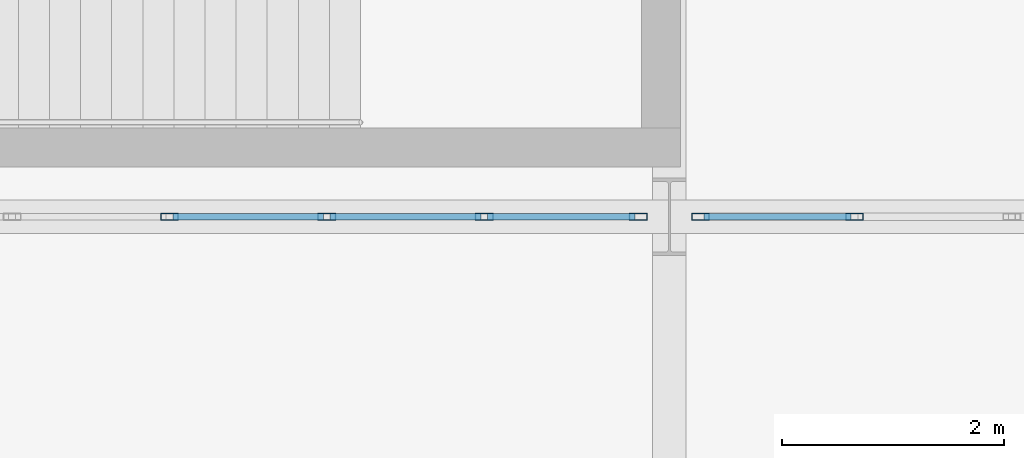
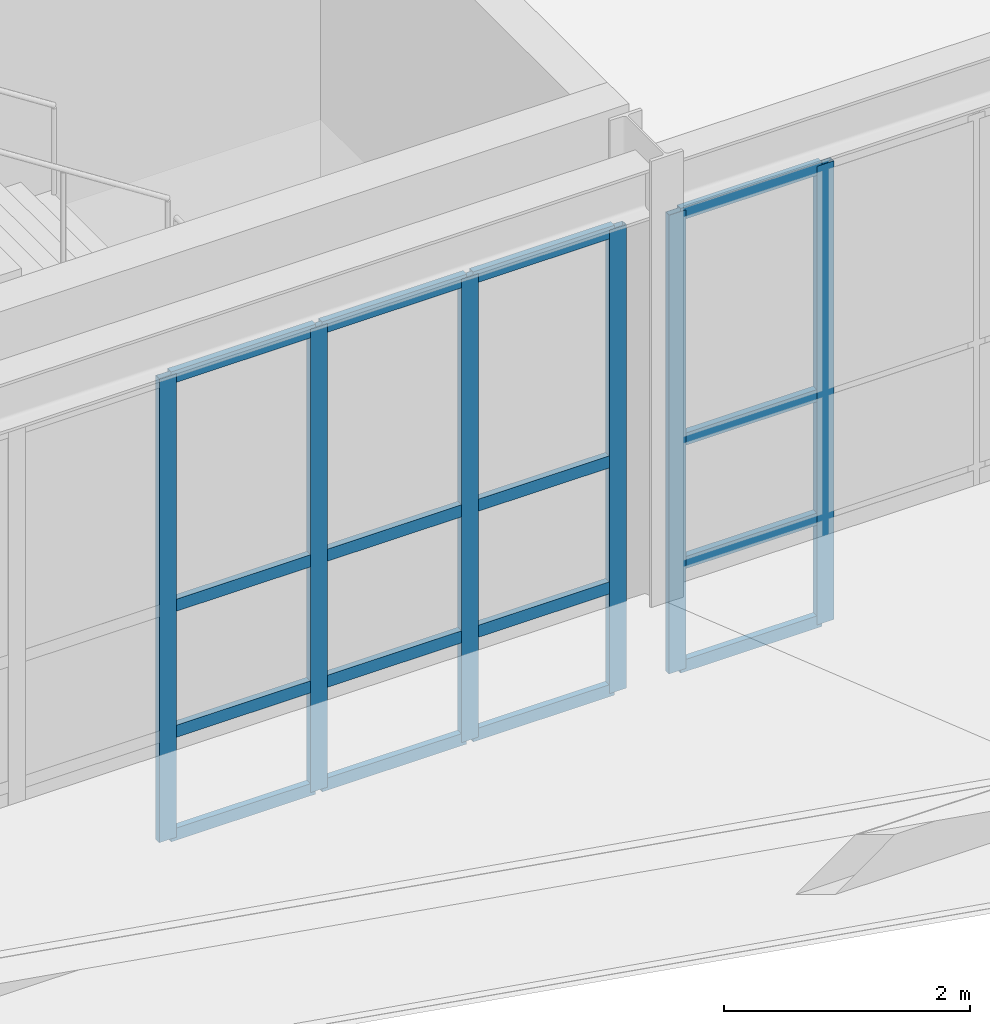
# One storey, part 60 of 239: 22 members, 2 elements without a shape of their own.
"""IFC4 building model written with IfcOpenShell, lengths in metres."""

from ifc_helpers import new_model, si_unit, direction, frame, origin, origin_2d, place, context, subcontext, project, spatial, hollow_rectangle, extrude, material, material_profile, profile_set, type_object, element, aggregate, save


model = new_model("IFC4")

# Units and contexts
model_context = context("Model", 3, precision=1e-05, world=origin(), true_north=direction((0.0, 1.0)))
body_context = subcontext(model_context, "Body", "Model", "MODEL_VIEW")
ifc_project = project(units=[si_unit("LENGTHUNIT", "METRE"), si_unit("AREAUNIT", "SQUARE_METRE"), si_unit("VOLUMEUNIT", "CUBIC_METRE"), si_unit("PLANEANGLEUNIT", "RADIAN"), si_unit("MASSUNIT", "GRAM", prefix="KILO")], contexts=[model_context])

# Site, building, storey
site_placement = place(None, origin())
site = spatial("IfcSite", under=ifc_project, at=site_placement, CompositionType="ELEMENT")
building_placement = place(site_placement, origin())
building = spatial("IfcBuilding", under=site, at=building_placement, Name="Kaldris Quays Convention Centre", CompositionType="ELEMENT")
storey_placement = place(building_placement, frame((0.0, 0.0, 11.39990234375)))
storey = spatial("IfcBuildingStorey", under=building, at=storey_placement, Name="L02", CompositionType="ELEMENT", Elevation=11.39990234375)

# Curtain wall, members
ifc_material_1 = material(Name="Anodized aluminium AW-6060 and triple glazing", Category="aluminium")
curtain_wall_type = type_object("IfcCurtainWallType", Name="UNITISED CURTAIN WALL CW04", PredefinedType="NOTDEFINED", material=ifc_material_1)
curtain_wall_1_placement = place(storey_placement, origin())
curtain_wall_1 = element("IfcCurtainWall", 1, at=curtain_wall_1_placement, inside=storey, type_object=curtain_wall_type, Name="L02 Unitised Curtain Wall CW04 119", PredefinedType="NOTDEFINED")
ifc_material_2 = material(Name="Anodized aluminium AW-6060", Category="aluminium")
ifc_material_profile_1 = material_profile(ifc_material_2, hollow_rectangle(XDim=0.06005859375, YDim=0.159912109375, WallThickness=0.00390625, at=origin_2d()), Name="RHS 160x60x4")
ifc_profile_set_1 = profile_set([ifc_material_profile_1], Name="Anodized aluminium AW-6060")
member_type_1 = type_object("IfcMemberType", Name="CURTAIN MULLION CWM1", PredefinedType="MULLION", material=ifc_profile_set_1)
member_1_placement = place(storey_placement, frame((132.5, 38.0, 0.0), z_axis=(0.0, 0.0, 1.0), x_axis=(0.0, 1.0, 0.0)))
member_1 = element("IfcMember", 2, at=member_1_placement, type_object=member_type_1, Name="CW04 mullion 4", PredefinedType="MULLION", context=body_context, shape_type="SweptSolid", body=[
    extrude(hollow_rectangle(XDim=0.06005859375, YDim=0.159912109375, WallThickness=0.00390625, at=origin_2d()), origin(), (0.0, 0.0, 1.0), 4.60009765625),
])
member_2_placement = place(storey_placement, frame((133.916748046875, 38.0, 0.0), z_axis=(0.0, 0.0, 1.0), x_axis=(0.0, 1.0, 0.0)))
member_2 = element("IfcMember", 3, at=member_2_placement, type_object=member_type_1, Name="CW04 mullion 5", PredefinedType="MULLION", context=body_context, shape_type="SweptSolid", body=[
    extrude(hollow_rectangle(XDim=0.06005859375, YDim=0.159912109375, WallThickness=0.00390625, at=origin_2d()), origin(), (0.0, 0.0, 1.0), 4.60009765625),
])
member_3_placement = place(storey_placement, frame((135.333251953125, 38.0, 0.0), z_axis=(0.0, 0.0, 1.0), x_axis=(0.0, 1.0, 0.0)))
member_3 = element("IfcMember", 4, at=member_3_placement, type_object=member_type_1, Name="CW04 mullion 6", PredefinedType="MULLION", context=body_context, shape_type="SweptSolid", body=[
    extrude(hollow_rectangle(XDim=0.06005859375, YDim=0.159912109375, WallThickness=0.00390625, at=origin_2d()), origin(), (0.0, 0.0, 1.0), 4.60009765625),
])
member_4_placement = place(storey_placement, frame((136.719970703125, 38.0, 0.0), z_axis=(0.0, 0.0, 1.0), x_axis=(0.0, 1.0, 0.0)))
member_4 = element("IfcMember", 5, at=member_4_placement, type_object=member_type_1, Name="CW04 mullion 7", PredefinedType="MULLION", context=body_context, shape_type="SweptSolid", body=[
    extrude(hollow_rectangle(XDim=0.06005859375, YDim=0.159912109375, WallThickness=0.00390625, at=origin_2d()), origin(), (0.0, 0.0, 1.0), 4.60009765625),
])

curtain_wall_2_placement = place(storey_placement, origin())
curtain_wall_2 = element("IfcCurtainWall", 6, at=curtain_wall_2_placement, inside=storey, type_object=curtain_wall_type, Name="L02 Unitised Curtain Wall CW04 120", PredefinedType="NOTDEFINED")
member_5_placement = place(storey_placement, frame((137.280029296875, 38.0, 0.0), z_axis=(0.0, 0.0, 1.0), x_axis=(0.0, 1.0, 0.0)))
member_5 = element("IfcMember", 7, at=member_5_placement, type_object=member_type_1, Name="CW04 mullion 1", PredefinedType="MULLION", context=body_context, shape_type="SweptSolid", body=[
    extrude(hollow_rectangle(XDim=0.06005859375, YDim=0.159912109375, WallThickness=0.00390625, at=origin_2d()), origin(), (0.0, 0.0, 1.0), 4.548095703125),
])
member_6_placement = place(storey_placement, frame((138.666748046875, 38.0, 0.0), z_axis=(0.0, 0.0, 1.0), x_axis=(0.0, 1.0, 0.0)))
member_6 = element("IfcMember", 8, at=member_6_placement, type_object=member_type_1, Name="CW04 mullion 2", PredefinedType="MULLION", context=body_context, shape_type="SweptSolid", body=[
    extrude(hollow_rectangle(XDim=0.06005859375, YDim=0.159912109375, WallThickness=0.00390625, at=origin_2d()), origin(), (0.0, 0.0, 1.0), 4.548095703125),
])

# Member
ifc_material_profile_2 = material_profile(ifc_material_2, hollow_rectangle(XDim=0.06005859375, YDim=0.1201171875, WallThickness=0.00390625, at=origin_2d()), Name="RHS 120x60x4")
ifc_profile_set_2 = profile_set([ifc_material_profile_2], Name="Anodized aluminium AW-6060")
member_type_2 = type_object("IfcMemberType", Name="CURTAIN TRANSOM CWT1", PredefinedType="USERDEFINED", material=ifc_profile_set_2)
member_7_placement = place(storey_placement, frame((132.530029296875, 38.0, 0.030029296875), z_axis=(1.0, 0.0, 0.0), x_axis=(0.0, 1.0, 0.0)))
member_7 = element("IfcMember", 9, at=member_7_placement, type_object=member_type_2, Name="CW04 transom 4.1", ObjectType="TRANSOM", PredefinedType="USERDEFINED", context=body_context, shape_type="SweptSolid", body=[
    extrude(hollow_rectangle(XDim=0.06005859375, YDim=0.1201171875, WallThickness=0.00390625, at=origin_2d()), origin(), (0.0, 0.0, 1.0), 1.356689453125),
])

member_8_placement = place(storey_placement, frame((132.530029296875, 38.0, 1.050048828125), z_axis=(1.0, 0.0, 0.0), x_axis=(0.0, 1.0, 0.0)))
member_8 = element("IfcMember", 10, at=member_8_placement, type_object=member_type_2, Name="CW04 transom 4.2", ObjectType="TRANSOM", PredefinedType="USERDEFINED", context=body_context, shape_type="SweptSolid", body=[
    extrude(hollow_rectangle(XDim=0.06005859375, YDim=0.1201171875, WallThickness=0.00390625, at=origin_2d()), origin(), (0.0, 0.0, 1.0), 1.356689453125),
])

member_9_placement = place(storey_placement, frame((132.530029296875, 38.0, 2.300048828125), z_axis=(1.0, 0.0, 0.0), x_axis=(0.0, 1.0, 0.0)))
member_9 = element("IfcMember", 11, at=member_9_placement, type_object=member_type_2, Name="CW04 transom 4.3", ObjectType="TRANSOM", PredefinedType="USERDEFINED", context=body_context, shape_type="SweptSolid", body=[
    extrude(hollow_rectangle(XDim=0.06005859375, YDim=0.1201171875, WallThickness=0.00390625, at=origin_2d()), origin(), (0.0, 0.0, 1.0), 1.356689453125),
])

member_10_placement = place(storey_placement, frame((132.530029296875, 38.0, 4.570068359375), z_axis=(1.0, 0.0, 0.0), x_axis=(0.0, 1.0, 0.0)))
member_10 = element("IfcMember", 12, at=member_10_placement, type_object=member_type_2, Name="CW04 transom 4.4", ObjectType="TRANSOM", PredefinedType="USERDEFINED", context=body_context, shape_type="SweptSolid", body=[
    extrude(hollow_rectangle(XDim=0.06005859375, YDim=0.1201171875, WallThickness=0.00390625, at=origin_2d()), origin(), (0.0, 0.0, 1.0), 1.356689453125),
])

member_11_placement = place(storey_placement, frame((133.94677734375, 38.0, 0.030029296875), z_axis=(1.0, 0.0, 0.0), x_axis=(0.0, 1.0, 0.0)))
member_11 = element("IfcMember", 13, at=member_11_placement, type_object=member_type_2, Name="CW04 transom 5.1", ObjectType="TRANSOM", PredefinedType="USERDEFINED", context=body_context, shape_type="SweptSolid", body=[
    extrude(hollow_rectangle(XDim=0.06005859375, YDim=0.1201171875, WallThickness=0.00390625, at=origin_2d()), origin(), (0.0, 0.0, 1.0), 1.3564453125),
])

member_12_placement = place(storey_placement, frame((133.94677734375, 38.0, 1.050048828125), z_axis=(1.0, 0.0, 0.0), x_axis=(0.0, 1.0, 0.0)))
member_12 = element("IfcMember", 14, at=member_12_placement, type_object=member_type_2, Name="CW04 transom 5.2", ObjectType="TRANSOM", PredefinedType="USERDEFINED", context=body_context, shape_type="SweptSolid", body=[
    extrude(hollow_rectangle(XDim=0.06005859375, YDim=0.1201171875, WallThickness=0.00390625, at=origin_2d()), origin(), (0.0, 0.0, 1.0), 1.3564453125),
])

member_13_placement = place(storey_placement, frame((133.94677734375, 38.0, 2.300048828125), z_axis=(1.0, 0.0, 0.0), x_axis=(0.0, 1.0, 0.0)))
member_13 = element("IfcMember", 15, at=member_13_placement, type_object=member_type_2, Name="CW04 transom 5.3", ObjectType="TRANSOM", PredefinedType="USERDEFINED", context=body_context, shape_type="SweptSolid", body=[
    extrude(hollow_rectangle(XDim=0.06005859375, YDim=0.1201171875, WallThickness=0.00390625, at=origin_2d()), origin(), (0.0, 0.0, 1.0), 1.3564453125),
])

member_14_placement = place(storey_placement, frame((133.94677734375, 38.0, 4.570068359375), z_axis=(1.0, 0.0, 0.0), x_axis=(0.0, 1.0, 0.0)))
member_14 = element("IfcMember", 16, at=member_14_placement, type_object=member_type_2, Name="CW04 transom 5.4", ObjectType="TRANSOM", PredefinedType="USERDEFINED", context=body_context, shape_type="SweptSolid", body=[
    extrude(hollow_rectangle(XDim=0.06005859375, YDim=0.1201171875, WallThickness=0.00390625, at=origin_2d()), origin(), (0.0, 0.0, 1.0), 1.3564453125),
])

member_15_placement = place(storey_placement, frame((135.36328125, 38.0, 0.030029296875), z_axis=(1.0, 0.0, 0.0), x_axis=(0.0, 1.0, 0.0)))
member_15 = element("IfcMember", 17, at=member_15_placement, type_object=member_type_2, Name="CW04 transom 6.1", ObjectType="TRANSOM", PredefinedType="USERDEFINED", context=body_context, shape_type="SweptSolid", body=[
    extrude(hollow_rectangle(XDim=0.06005859375, YDim=0.1201171875, WallThickness=0.00390625, at=origin_2d()), origin(), (0.0, 0.0, 1.0), 1.32666015625),
])

member_16_placement = place(storey_placement, frame((135.36328125, 38.0, 1.050048828125), z_axis=(1.0, 0.0, 0.0), x_axis=(0.0, 1.0, 0.0)))
member_16 = element("IfcMember", 18, at=member_16_placement, type_object=member_type_2, Name="CW04 transom 6.2", ObjectType="TRANSOM", PredefinedType="USERDEFINED", context=body_context, shape_type="SweptSolid", body=[
    extrude(hollow_rectangle(XDim=0.06005859375, YDim=0.1201171875, WallThickness=0.00390625, at=origin_2d()), origin(), (0.0, 0.0, 1.0), 1.32666015625),
])

member_17_placement = place(storey_placement, frame((135.36328125, 38.0, 2.300048828125), z_axis=(1.0, 0.0, 0.0), x_axis=(0.0, 1.0, 0.0)))
member_17 = element("IfcMember", 19, at=member_17_placement, type_object=member_type_2, Name="CW04 transom 6.3", ObjectType="TRANSOM", PredefinedType="USERDEFINED", context=body_context, shape_type="SweptSolid", body=[
    extrude(hollow_rectangle(XDim=0.06005859375, YDim=0.1201171875, WallThickness=0.00390625, at=origin_2d()), origin(), (0.0, 0.0, 1.0), 1.32666015625),
])

member_18_placement = place(storey_placement, frame((135.36328125, 38.0, 4.570068359375), z_axis=(1.0, 0.0, 0.0), x_axis=(0.0, 1.0, 0.0)))
member_18 = element("IfcMember", 20, at=member_18_placement, type_object=member_type_2, Name="CW04 transom 6.4", ObjectType="TRANSOM", PredefinedType="USERDEFINED", context=body_context, shape_type="SweptSolid", body=[
    extrude(hollow_rectangle(XDim=0.06005859375, YDim=0.1201171875, WallThickness=0.00390625, at=origin_2d()), origin(), (0.0, 0.0, 1.0), 1.32666015625),
])

aggregate(curtain_wall_1, [member_1, member_2, member_3, member_4, member_7, member_8, member_9, member_10, member_11, member_12, member_13, member_14, member_15, member_16, member_17, member_18])

member_19_placement = place(storey_placement, frame((137.31005859375, 38.0, 0.030029296875), z_axis=(1.0, 0.0, 0.0), x_axis=(0.0, 1.0, 0.0)))
member_19 = element("IfcMember", 21, at=member_19_placement, type_object=member_type_2, Name="CW04 transom 1.1", ObjectType="TRANSOM", PredefinedType="USERDEFINED", context=body_context, shape_type="SweptSolid", body=[
    extrude(hollow_rectangle(XDim=0.06005859375, YDim=0.1201171875, WallThickness=0.00390625, at=origin_2d()), origin(), (0.0, 0.0, 1.0), 1.32666015625),
])

member_20_placement = place(storey_placement, frame((137.31005859375, 38.0, 1.050048828125), z_axis=(1.0, 0.0, 0.0), x_axis=(0.0, 1.0, 0.0)))
member_20 = element("IfcMember", 22, at=member_20_placement, type_object=member_type_2, Name="CW04 transom 1.2", ObjectType="TRANSOM", PredefinedType="USERDEFINED", context=body_context, shape_type="SweptSolid", body=[
    extrude(hollow_rectangle(XDim=0.06005859375, YDim=0.1201171875, WallThickness=0.00390625, at=origin_2d()), origin(), (0.0, 0.0, 1.0), 1.32666015625),
])

member_21_placement = place(storey_placement, frame((137.31005859375, 38.0, 2.274169921875), z_axis=(1.0, 0.0, 0.0), x_axis=(0.0, 1.0, 0.0)))
member_21 = element("IfcMember", 23, at=member_21_placement, type_object=member_type_2, Name="CW04 transom 1.3", ObjectType="TRANSOM", PredefinedType="USERDEFINED", context=body_context, shape_type="SweptSolid", body=[
    extrude(hollow_rectangle(XDim=0.06005859375, YDim=0.1201171875, WallThickness=0.00390625, at=origin_2d()), origin(), (0.0, 0.0, 1.0), 1.32666015625),
])

member_22_placement = place(storey_placement, frame((137.31005859375, 38.0, 4.51806640625), z_axis=(1.0, 0.0, 0.0), x_axis=(0.0, 1.0, 0.0)))
member_22 = element("IfcMember", 24, at=member_22_placement, type_object=member_type_2, Name="CW04 transom 1.4", ObjectType="TRANSOM", PredefinedType="USERDEFINED", context=body_context, shape_type="SweptSolid", body=[
    extrude(hollow_rectangle(XDim=0.06005859375, YDim=0.1201171875, WallThickness=0.00390625, at=origin_2d()), origin(), (0.0, 0.0, 1.0), 1.32666015625),
])

aggregate(curtain_wall_2, [member_5, member_6, member_19, member_20, member_21, member_22])

save(model, "model.ifc")
